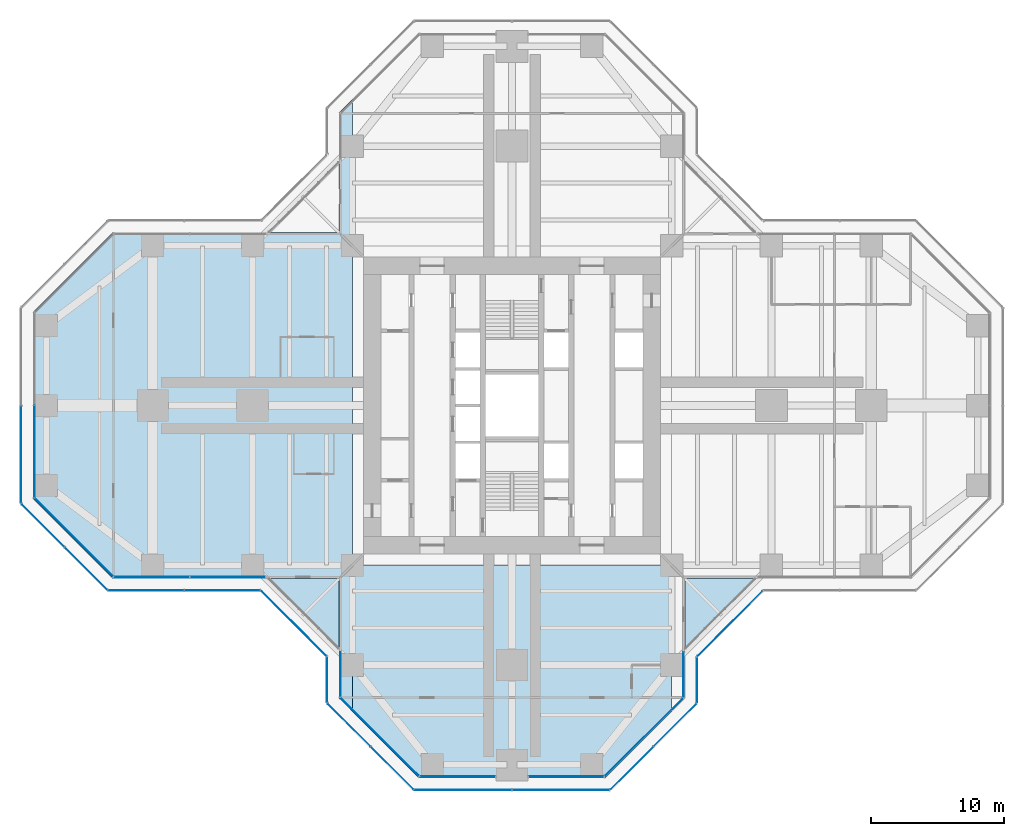
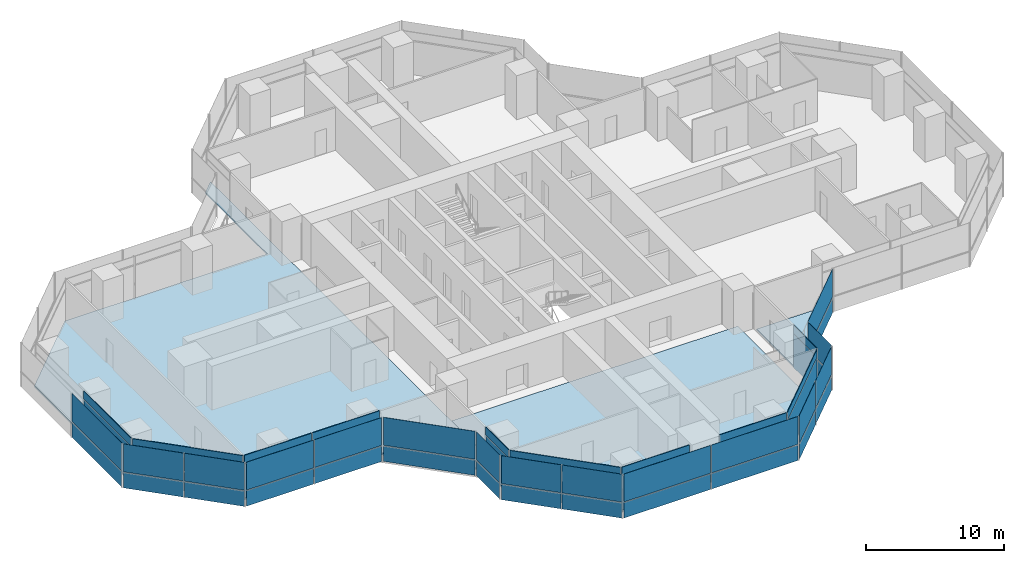
# One storey, part 12 of 19: 50 plates, 4 slabs, 19 elements without a shape of their own.
"""IFC4 building model written with IfcOpenShell, lengths in metres."""

from ifc_helpers import new_model, si_unit, direction, frame, origin, origin_2d, place, context, subcontext, project, spatial, polyline, rectangle, outline, extrude, material, layer, layer_set, type_object, element, aggregate, save


model = new_model("IFC4")

# Units and contexts
model_context = context("Model", 3, precision=1e-05, world=origin(), true_north=direction((0.0, 1.0)))
body_context = subcontext(model_context, "Body", "Model", "MODEL_VIEW")
ifc_project = project(units=[si_unit("LENGTHUNIT", "METRE"), si_unit("AREAUNIT", "SQUARE_METRE"), si_unit("VOLUMEUNIT", "CUBIC_METRE"), si_unit("PLANEANGLEUNIT", "RADIAN"), si_unit("MASSUNIT", "GRAM", prefix="KILO")], contexts=[model_context])

# Site, building, storey
site_placement = place(None, origin())
site = spatial("IfcSite", under=ifc_project, at=site_placement, CompositionType="ELEMENT")
building_placement = place(site_placement, origin())
building = spatial("IfcBuilding", under=site, at=building_placement, Name="Mizan Broadcast Tower", CompositionType="ELEMENT")
storey_placement = place(building_placement, frame((0.0, 0.0, 132.0)))
storey = spatial("IfcBuildingStorey", under=building, at=storey_placement, Name="L29", CompositionType="ELEMENT", Elevation=132.0)

# Slabs
ifc_material_1 = material(Name="Concrete C32/40", Category="concrete")
ifc_layer_1 = layer(ifc_material_1, 0.1298828125)
ifc_layer_set_1 = layer_set([ifc_layer_1], Name="Concrete C32/40")
slab_type_1 = type_object("IfcSlabType", Name="COMPOSITE DECK SLAB 130", PredefinedType="FLOOR", material=ifc_layer_set_1)
slab_1_placement = place(storey_placement, frame((0.0, 0.0, -0.1298828125)))
element("IfcSlab", 1, at=slab_1_placement, inside=storey, type_object=slab_type_1, Name="Floor slab L29 west arm", PredefinedType="FLOOR", context=body_context, shape_type="SweptSolid", body=[
    extrude(outline(polyline([(-13.0, -22.0), (-12.0, -23.0), (-12.0, 23.0), (-13.0, 22.0), (-13.0, 13.0), (-30.0, 13.0), (-36.0, 7.0), (-36.0, -7.0), (-30.0, -13.0), (-13.0, -13.0), (-13.0, -22.0)])), origin(), (0.0, 0.0, 1.0), 0.1298828125),
])
slab_2_placement = place(storey_placement, frame((0.0, 0.0, -0.1298828125)))
element("IfcSlab", 2, at=slab_2_placement, inside=storey, type_object=slab_type_1, Name="Floor slab L29 south arm", PredefinedType="FLOOR", context=body_context, shape_type="SweptSolid", body=[
    extrude(outline(polyline([(7.0, -28.0), (12.0, -23.0), (12.0, -12.0), (-12.0, -12.0), (-12.0, -23.0), (-7.0, -28.0), (7.0, -28.0)])), origin(), (0.0, 0.0, 1.0), 0.1298828125),
])

# Curtain wall, plate
ifc_material_2 = material(Name="Aluminium framed glazing", Category="aluminium")
curtain_wall_type_1 = type_object("IfcCurtainWallType", Name="INNER SKIN MID ZONE", PredefinedType="USERDEFINED", material=ifc_material_2)
curtain_wall_1_placement = place(storey_placement, origin())
curtain_wall_1 = element("IfcCurtainWall", 3, at=curtain_wall_1_placement, inside=storey, type_object=curtain_wall_type_1, Name="Inner skin mid zone L29 W end", ObjectType="INNER SKIN MID ZONE", PredefinedType="USERDEFINED")
ifc_material_3 = material(Name="Double glazing, clear low-e", Category="glass")
ifc_layer_2 = layer(ifc_material_3, 0.028076171875)
ifc_layer_set_2 = layer_set([ifc_layer_2], Name="Double glazing, clear low-e")
plate_type_1 = type_object("IfcPlateType", Name="INNER SKIN GLAZING UNIT", PredefinedType="CURTAIN_PANEL", material=ifc_layer_set_2)
plate_1_placement = place(storey_placement, frame((-35.89990234375, -3.46435546875, 0.0), z_axis=(0.0, 0.0, 1.0), x_axis=(0.0, -1.0, 0.0)))
plate_1 = element("IfcPlate", 4, at=plate_1_placement, type_object=plate_type_1, Name="Inner skin mid zone L29 W end panel 2.1", PredefinedType="CURTAIN_PANEL", context=body_context, shape_type="SweptSolid", body=[
    extrude(rectangle(XDim=6.86865234375, YDim=0.028076171875, at=origin_2d()), origin(), (0.0, 0.0, 1.0), 3.0),
])

curtain_wall_2_placement = place(storey_placement, origin())
curtain_wall_2 = element("IfcCurtainWall", 5, at=curtain_wall_2_placement, inside=storey, type_object=curtain_wall_type_1, Name="Inner skin mid zone L29 W chamfer", ObjectType="INNER SKIN MID ZONE", PredefinedType="USERDEFINED")
plate_2_placement = place(storey_placement, frame((-32.92919921875, -9.92919921875, 0.0), z_axis=(0.0, 0.0, 1.0), x_axis=(0.707106781187, -0.707106781187, 0.0)))
plate_2 = element("IfcPlate", 6, at=plate_2_placement, type_object=plate_type_1, Name="Inner skin mid zone L29 W chamfer panel 1.1", PredefinedType="CURTAIN_PANEL", context=body_context, shape_type="SweptSolid", body=[
    extrude(rectangle(XDim=8.282470703125, YDim=0.028076171875, at=origin_2d()), origin(), (0.0, 0.0, 1.0), 3.0),
])

# Curtain wall, plates
curtain_wall_3_placement = place(storey_placement, origin())
curtain_wall_3 = element("IfcCurtainWall", 7, at=curtain_wall_3_placement, inside=storey, type_object=curtain_wall_type_1, Name="Inner skin mid zone L29 W side", ObjectType="INNER SKIN MID ZONE", PredefinedType="USERDEFINED")
plate_3_placement = place(storey_placement, frame((-27.078857421875, -12.89990234375, 0.0), z_axis=(0.0, 0.0, 1.0), x_axis=(1.0, 0.0, 0.0)))
plate_3 = element("IfcPlate", 8, at=plate_3_placement, type_object=plate_type_1, Name="Inner skin mid zone L29 W side panel 1.1", PredefinedType="CURTAIN_PANEL", context=body_context, shape_type="SweptSolid", body=[
    extrude(rectangle(XDim=5.639404296875, YDim=0.028076171875, at=origin_2d()), origin(), (0.0, 0.0, 1.0), 3.0),
])
plate_4_placement = place(storey_placement, frame((-21.379638671875, -12.89990234375, 0.0), z_axis=(0.0, 0.0, 1.0), x_axis=(1.0, 0.0, 0.0)))
plate_4 = element("IfcPlate", 9, at=plate_4_placement, type_object=plate_type_1, Name="Inner skin mid zone L29 W side panel 2.1", PredefinedType="CURTAIN_PANEL", context=body_context, shape_type="SweptSolid", body=[
    extrude(rectangle(XDim=5.639404296875, YDim=0.028076171875, at=origin_2d()), origin(), (0.0, 0.0, 1.0), 3.0),
])

# Curtain wall, plate
curtain_wall_4_placement = place(storey_placement, origin())
curtain_wall_4 = element("IfcCurtainWall", 10, at=curtain_wall_4_placement, inside=storey, type_object=curtain_wall_type_1, Name="Inner skin mid zone L29 S side", ObjectType="INNER SKIN MID ZONE", PredefinedType="USERDEFINED")
plate_5_placement = place(storey_placement, frame((-12.89990234375, -20.229248046875, 0.0), z_axis=(0.0, 0.0, 1.0), x_axis=(0.0, -1.0, 0.0)))
plate_5 = element("IfcPlate", 11, at=plate_5_placement, type_object=plate_type_1, Name="Inner skin mid zone L29 S side panel 1.1", PredefinedType="CURTAIN_PANEL", context=body_context, shape_type="SweptSolid", body=[
    extrude(rectangle(XDim=3.338623046875, YDim=0.028076171875, at=origin_2d()), origin(), (0.0, 0.0, 1.0), 3.0),
])

curtain_wall_5_placement = place(storey_placement, origin())
curtain_wall_5 = element("IfcCurtainWall", 12, at=curtain_wall_5_placement, inside=storey, type_object=curtain_wall_type_1, Name="Inner skin mid zone L29 S chamfer", ObjectType="INNER SKIN MID ZONE", PredefinedType="USERDEFINED")
plate_6_placement = place(storey_placement, frame((-9.92919921875, -24.92919921875, 0.0), z_axis=(0.0, 0.0, 1.0), x_axis=(0.707106781187, -0.707106781187, 0.0)))
plate_6 = element("IfcPlate", 13, at=plate_6_placement, type_object=plate_type_1, Name="Inner skin mid zone L29 S chamfer panel 1.1", PredefinedType="CURTAIN_PANEL", context=body_context, shape_type="SweptSolid", body=[
    extrude(rectangle(XDim=8.282470703125, YDim=0.028076171875, at=origin_2d()), origin(), (0.0, 0.0, 1.0), 3.0),
])

curtain_wall_6_placement = place(storey_placement, origin())
curtain_wall_6 = element("IfcCurtainWall", 14, at=curtain_wall_6_placement, inside=storey, type_object=curtain_wall_type_1, Name="Inner skin mid zone L29 S end", ObjectType="INNER SKIN MID ZONE", PredefinedType="USERDEFINED")
plate_7_placement = place(storey_placement, frame((-4.079345703125, -27.89990234375, 0.0), z_axis=(0.0, 0.0, 1.0), x_axis=(1.0, 0.0, 0.0)))
plate_7 = element("IfcPlate", 15, at=plate_7_placement, type_object=plate_type_1, Name="Inner skin mid zone L29 S end panel 1.1", PredefinedType="CURTAIN_PANEL", context=body_context, shape_type="SweptSolid", body=[
    extrude(rectangle(XDim=5.638671875, YDim=0.028076171875, at=origin_2d()), origin(), (0.0, 0.0, 1.0), 3.0),
])

curtain_wall_7_placement = place(storey_placement, origin())
curtain_wall_7 = element("IfcCurtainWall", 16, at=curtain_wall_7_placement, inside=storey, type_object=curtain_wall_type_1, Name="Inner skin mid zone L29 S end", ObjectType="INNER SKIN MID ZONE", PredefinedType="USERDEFINED")
plate_8_placement = place(storey_placement, frame((4.079345703125, -27.89990234375, 0.0), z_axis=(0.0, 0.0, 1.0), x_axis=(1.0, 0.0, 0.0)))
plate_8 = element("IfcPlate", 17, at=plate_8_placement, type_object=plate_type_1, Name="Inner skin mid zone L29 S end panel 1.1", PredefinedType="CURTAIN_PANEL", context=body_context, shape_type="SweptSolid", body=[
    extrude(rectangle(XDim=5.638671875, YDim=0.028076171875, at=origin_2d()), origin(), (0.0, 0.0, 1.0), 3.0),
])

curtain_wall_8_placement = place(storey_placement, origin())
curtain_wall_8 = element("IfcCurtainWall", 18, at=curtain_wall_8_placement, inside=storey, type_object=curtain_wall_type_1, Name="Inner skin mid zone L29 S chamfer", ObjectType="INNER SKIN MID ZONE", PredefinedType="USERDEFINED")
plate_9_placement = place(storey_placement, frame((9.92919921875, -24.92919921875, 0.0), z_axis=(0.0, 0.0, 1.0), x_axis=(0.707106781187, 0.707106781187, 0.0)))
plate_9 = element("IfcPlate", 19, at=plate_9_placement, type_object=plate_type_1, Name="Inner skin mid zone L29 S chamfer panel 1.1", PredefinedType="CURTAIN_PANEL", context=body_context, shape_type="SweptSolid", body=[
    extrude(rectangle(XDim=8.282470703125, YDim=0.028076171875, at=origin_2d()), origin(), (0.0, 0.0, 1.0), 3.0),
])

curtain_wall_9_placement = place(storey_placement, origin())
curtain_wall_9 = element("IfcCurtainWall", 20, at=curtain_wall_9_placement, inside=storey, type_object=curtain_wall_type_1, Name="Inner skin mid zone L29 S side", ObjectType="INNER SKIN MID ZONE", PredefinedType="USERDEFINED")
plate_10_placement = place(storey_placement, frame((12.89990234375, -20.229248046875, 0.0), z_axis=(0.0, 0.0, 1.0), x_axis=(0.0, 1.0, 0.0)))
plate_10 = element("IfcPlate", 21, at=plate_10_placement, type_object=plate_type_1, Name="Inner skin mid zone L29 S side panel 1.1", PredefinedType="CURTAIN_PANEL", context=body_context, shape_type="SweptSolid", body=[
    extrude(rectangle(XDim=3.338623046875, YDim=0.028076171875, at=origin_2d()), origin(), (0.0, 0.0, 1.0), 3.0),
])

# Plate
ifc_material_4 = material(Name="Insulated aluminium spandrel panel, pale anodised", Category="aluminium")
ifc_layer_3 = layer(ifc_material_4, 0.050048828125)
ifc_layer_set_3 = layer_set([ifc_layer_3], Name="Insulated aluminium spandrel panel, pale anodised")
plate_type_2 = type_object("IfcPlateType", Name="INNER SKIN SPANDREL PANEL", PredefinedType="CURTAIN_PANEL", material=ifc_layer_set_3)
plate_11_placement = place(storey_placement, frame((-35.89990234375, -3.46435546875, 3.06005859375), z_axis=(0.0, 0.0, 1.0), x_axis=(0.0, -1.0, 0.0)))
plate_11 = element("IfcPlate", 22, at=plate_11_placement, type_object=plate_type_2, Name="Inner skin mid zone L29 W end panel 2.2", PredefinedType="CURTAIN_PANEL", context=body_context, shape_type="SweptSolid", body=[
    extrude(rectangle(XDim=6.86865234375, YDim=0.050048828125, at=origin_2d()), origin(), (0.0, 0.0, 1.0), 0.7099609375),
])

aggregate(curtain_wall_1, [plate_1, plate_11])

plate_12_placement = place(storey_placement, frame((-32.92919921875, -9.92919921875, 3.06005859375), z_axis=(0.0, 0.0, 1.0), x_axis=(0.707106781187, -0.707106781187, 0.0)))
plate_12 = element("IfcPlate", 23, at=plate_12_placement, type_object=plate_type_2, Name="Inner skin mid zone L29 W chamfer panel 1.2", PredefinedType="CURTAIN_PANEL", context=body_context, shape_type="SweptSolid", body=[
    extrude(rectangle(XDim=8.282470703125, YDim=0.050048828125, at=origin_2d()), origin(), (0.0, 0.0, 1.0), 0.7099609375),
])

aggregate(curtain_wall_2, [plate_2, plate_12])

plate_13_placement = place(storey_placement, frame((-27.078857421875, -12.89990234375, 3.06005859375), z_axis=(0.0, 0.0, 1.0), x_axis=(1.0, 0.0, 0.0)))
plate_13 = element("IfcPlate", 24, at=plate_13_placement, type_object=plate_type_2, Name="Inner skin mid zone L29 W side panel 1.2", PredefinedType="CURTAIN_PANEL", context=body_context, shape_type="SweptSolid", body=[
    extrude(rectangle(XDim=5.639404296875, YDim=0.050048828125, at=origin_2d()), origin(), (0.0, 0.0, 1.0), 0.7099609375),
])

plate_14_placement = place(storey_placement, frame((-21.379638671875, -12.89990234375, 3.06005859375), z_axis=(0.0, 0.0, 1.0), x_axis=(1.0, 0.0, 0.0)))
plate_14 = element("IfcPlate", 25, at=plate_14_placement, type_object=plate_type_2, Name="Inner skin mid zone L29 W side panel 2.2", PredefinedType="CURTAIN_PANEL", context=body_context, shape_type="SweptSolid", body=[
    extrude(rectangle(XDim=5.639404296875, YDim=0.050048828125, at=origin_2d()), origin(), (0.0, 0.0, 1.0), 0.7099609375),
])

aggregate(curtain_wall_3, [plate_3, plate_13, plate_4, plate_14])

plate_15_placement = place(storey_placement, frame((-12.89990234375, -20.229248046875, 3.06005859375), z_axis=(0.0, 0.0, 1.0), x_axis=(0.0, -1.0, 0.0)))
plate_15 = element("IfcPlate", 26, at=plate_15_placement, type_object=plate_type_2, Name="Inner skin mid zone L29 S side panel 1.2", PredefinedType="CURTAIN_PANEL", context=body_context, shape_type="SweptSolid", body=[
    extrude(rectangle(XDim=3.338623046875, YDim=0.050048828125, at=origin_2d()), origin(), (0.0, 0.0, 1.0), 0.7099609375),
])

aggregate(curtain_wall_4, [plate_5, plate_15])

plate_16_placement = place(storey_placement, frame((-9.92919921875, -24.92919921875, 3.06005859375), z_axis=(0.0, 0.0, 1.0), x_axis=(0.707106781187, -0.707106781187, 0.0)))
plate_16 = element("IfcPlate", 27, at=plate_16_placement, type_object=plate_type_2, Name="Inner skin mid zone L29 S chamfer panel 1.2", PredefinedType="CURTAIN_PANEL", context=body_context, shape_type="SweptSolid", body=[
    extrude(rectangle(XDim=8.282470703125, YDim=0.050048828125, at=origin_2d()), origin(), (0.0, 0.0, 1.0), 0.7099609375),
])

aggregate(curtain_wall_5, [plate_6, plate_16])

plate_17_placement = place(storey_placement, frame((-4.079345703125, -27.89990234375, 3.06005859375), z_axis=(0.0, 0.0, 1.0), x_axis=(1.0, 0.0, 0.0)))
plate_17 = element("IfcPlate", 28, at=plate_17_placement, type_object=plate_type_2, Name="Inner skin mid zone L29 S end panel 1.2", PredefinedType="CURTAIN_PANEL", context=body_context, shape_type="SweptSolid", body=[
    extrude(rectangle(XDim=5.638671875, YDim=0.050048828125, at=origin_2d()), origin(), (0.0, 0.0, 1.0), 0.7099609375),
])

aggregate(curtain_wall_6, [plate_7, plate_17])

plate_18_placement = place(storey_placement, frame((4.079345703125, -27.89990234375, 3.06005859375), z_axis=(0.0, 0.0, 1.0), x_axis=(1.0, 0.0, 0.0)))
plate_18 = element("IfcPlate", 29, at=plate_18_placement, type_object=plate_type_2, Name="Inner skin mid zone L29 S end panel 1.2", PredefinedType="CURTAIN_PANEL", context=body_context, shape_type="SweptSolid", body=[
    extrude(rectangle(XDim=5.638671875, YDim=0.050048828125, at=origin_2d()), origin(), (0.0, 0.0, 1.0), 0.7099609375),
])

aggregate(curtain_wall_7, [plate_8, plate_18])

plate_19_placement = place(storey_placement, frame((9.92919921875, -24.92919921875, 3.06005859375), z_axis=(0.0, 0.0, 1.0), x_axis=(0.707106781187, 0.707106781187, 0.0)))
plate_19 = element("IfcPlate", 30, at=plate_19_placement, type_object=plate_type_2, Name="Inner skin mid zone L29 S chamfer panel 1.2", PredefinedType="CURTAIN_PANEL", context=body_context, shape_type="SweptSolid", body=[
    extrude(rectangle(XDim=8.282470703125, YDim=0.050048828125, at=origin_2d()), origin(), (0.0, 0.0, 1.0), 0.7099609375),
])

aggregate(curtain_wall_8, [plate_9, plate_19])

plate_20_placement = place(storey_placement, frame((12.89990234375, -20.229248046875, 3.06005859375), z_axis=(0.0, 0.0, 1.0), x_axis=(0.0, 1.0, 0.0)))
plate_20 = element("IfcPlate", 31, at=plate_20_placement, type_object=plate_type_2, Name="Inner skin mid zone L29 S side panel 1.2", PredefinedType="CURTAIN_PANEL", context=body_context, shape_type="SweptSolid", body=[
    extrude(rectangle(XDim=3.338623046875, YDim=0.050048828125, at=origin_2d()), origin(), (0.0, 0.0, 1.0), 0.7099609375),
])

aggregate(curtain_wall_9, [plate_10, plate_20])

# Curtain wall, plates
ifc_material_5 = material(Name="Aluminium framed glazing", Category="aluminium")
curtain_wall_type_2 = type_object("IfcCurtainWallType", Name="OUTER SKIN", PredefinedType="USERDEFINED", material=ifc_material_5)
curtain_wall_10_placement = place(storey_placement, origin())
curtain_wall_10 = element("IfcCurtainWall", 32, at=curtain_wall_10_placement, inside=storey, type_object=curtain_wall_type_2, Name="Outer skin L29 W chamfer", ObjectType="OUTER SKIN", PredefinedType="USERDEFINED")
ifc_material_6 = material(Name="Laminated clear glass", Category="glass")
ifc_layer_4 = layer(ifc_material_6, 0.02001953125)
ifc_layer_set_4 = layer_set([ifc_layer_4], Name="Laminated clear glass")
plate_type_3 = type_object("IfcPlateType", Name="OUTER SKIN CLEAR GLASS", PredefinedType="CURTAIN_PANEL", material=ifc_layer_set_4)
plate_21_placement = place(storey_placement, frame((-35.254150390625, -9.018798828125, 0.0), z_axis=(0.0, 0.0, 1.0), x_axis=(0.707106781187, -0.707106781187, 0.0)))
plate_21 = element("IfcPlate", 33, at=plate_21_placement, type_object=plate_type_3, Name="Outer skin L29 W chamfer panel 1.1", PredefinedType="CURTAIN_PANEL", context=body_context, shape_type="SweptSolid", body=[
    extrude(rectangle(XDim=4.495361328125, YDim=0.02001953125, at=origin_2d()), origin(), (0.0, 0.0, 1.0), 1.3701171875),
])
plate_22_placement = place(storey_placement, frame((-35.254150390625, -9.018798828125, 1.43017578125), z_axis=(0.0, 0.0, 1.0), x_axis=(0.707106781187, -0.707106781187, 0.0)))
plate_22 = element("IfcPlate", 34, at=plate_22_placement, type_object=plate_type_3, Name="Outer skin L29 W chamfer panel 1.2", PredefinedType="CURTAIN_PANEL", context=body_context, shape_type="SweptSolid", body=[
    extrude(rectangle(XDim=4.495361328125, YDim=0.02001953125, at=origin_2d()), origin(), (0.0, 0.0, 1.0), 2.469970703125),
])

curtain_wall_11_placement = place(storey_placement, origin())
curtain_wall_11 = element("IfcCurtainWall", 35, at=curtain_wall_11_placement, inside=storey, type_object=curtain_wall_type_2, Name="Outer skin L29 W side", ObjectType="OUTER SKIN", PredefinedType="USERDEFINED")
plate_23_placement = place(storey_placement, frame((-27.477783203125, -13.89990234375, 0.0), z_axis=(0.0, 0.0, 1.0), x_axis=(1.0, 0.0, 0.0)))
plate_23 = element("IfcPlate", 36, at=plate_23_placement, type_object=plate_type_3, Name="Outer skin L29 W side panel 1.1", PredefinedType="CURTAIN_PANEL", context=body_context, shape_type="SweptSolid", body=[
    extrude(rectangle(XDim=5.6298828125, YDim=0.02001953125, at=origin_2d()), origin(), (0.0, 0.0, 1.0), 1.3701171875),
])
plate_24_placement = place(storey_placement, frame((-27.477783203125, -13.89990234375, 1.43017578125), z_axis=(0.0, 0.0, 1.0), x_axis=(1.0, 0.0, 0.0)))
plate_24 = element("IfcPlate", 37, at=plate_24_placement, type_object=plate_type_3, Name="Outer skin L29 W side panel 1.2", PredefinedType="CURTAIN_PANEL", context=body_context, shape_type="SweptSolid", body=[
    extrude(rectangle(XDim=5.6298828125, YDim=0.02001953125, at=origin_2d()), origin(), (0.0, 0.0, 1.0), 2.469970703125),
])

curtain_wall_12_placement = place(storey_placement, origin())
curtain_wall_12 = element("IfcCurtainWall", 38, at=curtain_wall_12_placement, inside=storey, type_object=curtain_wall_type_2, Name="Outer skin L29 W chamfer", ObjectType="OUTER SKIN", PredefinedType="USERDEFINED")
plate_25_placement = place(storey_placement, frame((-16.386474609375, -16.386474609375, 0.0), z_axis=(0.0, 0.0, 1.0), x_axis=(0.707106781187, -0.707106781187, 0.0)))
plate_25 = element("IfcPlate", 39, at=plate_25_placement, type_object=plate_type_3, Name="Outer skin L29 W chamfer panel 1.1", PredefinedType="CURTAIN_PANEL", context=body_context, shape_type="SweptSolid", body=[
    extrude(rectangle(XDim=6.87255859375, YDim=0.02001953125, at=origin_2d()), origin(), (0.0, 0.0, 1.0), 1.3701171875),
])
plate_26_placement = place(storey_placement, frame((-16.386474609375, -16.386474609375, 1.43017578125), z_axis=(0.0, 0.0, 1.0), x_axis=(0.707106781187, -0.707106781187, 0.0)))
plate_26 = element("IfcPlate", 40, at=plate_26_placement, type_object=plate_type_3, Name="Outer skin L29 W chamfer panel 1.2", PredefinedType="CURTAIN_PANEL", context=body_context, shape_type="SweptSolid", body=[
    extrude(rectangle(XDim=6.87255859375, YDim=0.02001953125, at=origin_2d()), origin(), (0.0, 0.0, 1.0), 2.469970703125),
])
aggregate(curtain_wall_12, [plate_25, plate_26])

curtain_wall_13_placement = place(storey_placement, origin())
curtain_wall_13 = element("IfcCurtainWall", 41, at=curtain_wall_13_placement, inside=storey, type_object=curtain_wall_type_2, Name="Outer skin L29 S side", ObjectType="OUTER SKIN", PredefinedType="USERDEFINED")
plate_27_placement = place(storey_placement, frame((-13.89990234375, -20.622802734375, 0.0), z_axis=(0.0, 0.0, 1.0), x_axis=(0.0, -1.0, 0.0)))
plate_27 = element("IfcPlate", 42, at=plate_27_placement, type_object=plate_type_3, Name="Outer skin L29 S side panel 1.1", PredefinedType="CURTAIN_PANEL", context=body_context, shape_type="SweptSolid", body=[
    extrude(rectangle(XDim=3.340087890625, YDim=0.02001953125, at=origin_2d()), origin(), (0.0, 0.0, 1.0), 1.3701171875),
])
plate_28_placement = place(storey_placement, frame((-13.89990234375, -20.622802734375, 1.43017578125), z_axis=(0.0, 0.0, 1.0), x_axis=(0.0, -1.0, 0.0)))
plate_28 = element("IfcPlate", 43, at=plate_28_placement, type_object=plate_type_3, Name="Outer skin L29 S side panel 1.2", PredefinedType="CURTAIN_PANEL", context=body_context, shape_type="SweptSolid", body=[
    extrude(rectangle(XDim=3.340087890625, YDim=0.02001953125, at=origin_2d()), origin(), (0.0, 0.0, 1.0), 2.469970703125),
])
aggregate(curtain_wall_13, [plate_27, plate_28])

curtain_wall_14_placement = place(storey_placement, origin())
curtain_wall_14 = element("IfcCurtainWall", 44, at=curtain_wall_14_placement, inside=storey, type_object=curtain_wall_type_2, Name="Outer skin L29 S chamfer", ObjectType="OUTER SKIN", PredefinedType="USERDEFINED")
plate_29_placement = place(storey_placement, frame((-12.254150390625, -24.018798828125, 0.0), z_axis=(0.0, 0.0, 1.0), x_axis=(0.707106781187, -0.707106781187, 0.0)))
plate_29 = element("IfcPlate", 45, at=plate_29_placement, type_object=plate_type_3, Name="Outer skin L29 S chamfer panel 1.1", PredefinedType="CURTAIN_PANEL", context=body_context, shape_type="SweptSolid", body=[
    extrude(rectangle(XDim=4.495361328125, YDim=0.02001953125, at=origin_2d()), origin(), (0.0, 0.0, 1.0), 1.3701171875),
])
plate_30_placement = place(storey_placement, frame((-12.254150390625, -24.018798828125, 1.43017578125), z_axis=(0.0, 0.0, 1.0), x_axis=(0.707106781187, -0.707106781187, 0.0)))
plate_30 = element("IfcPlate", 46, at=plate_30_placement, type_object=plate_type_3, Name="Outer skin L29 S chamfer panel 1.2", PredefinedType="CURTAIN_PANEL", context=body_context, shape_type="SweptSolid", body=[
    extrude(rectangle(XDim=4.495361328125, YDim=0.02001953125, at=origin_2d()), origin(), (0.0, 0.0, 1.0), 2.469970703125),
])

curtain_wall_15_placement = place(storey_placement, origin())
curtain_wall_15 = element("IfcCurtainWall", 47, at=curtain_wall_15_placement, inside=storey, type_object=curtain_wall_type_2, Name="Outer skin L29 S end", ObjectType="OUTER SKIN", PredefinedType="USERDEFINED")
plate_31_placement = place(storey_placement, frame((-3.66650390625, -28.89990234375, 0.0), z_axis=(0.0, 0.0, 1.0), x_axis=(1.0, 0.0, 0.0)))
plate_31 = element("IfcPlate", 48, at=plate_31_placement, type_object=plate_type_3, Name="Outer skin L29 S end panel 1.1", PredefinedType="CURTAIN_PANEL", context=body_context, shape_type="SweptSolid", body=[
    extrude(rectangle(XDim=7.252685546875, YDim=0.02001953125, at=origin_2d()), origin(), (0.0, 0.0, 1.0), 1.3701171875),
])
plate_32_placement = place(storey_placement, frame((-3.66650390625, -28.89990234375, 1.43017578125), z_axis=(0.0, 0.0, 1.0), x_axis=(1.0, 0.0, 0.0)))
plate_32 = element("IfcPlate", 49, at=plate_32_placement, type_object=plate_type_3, Name="Outer skin L29 S end panel 1.2", PredefinedType="CURTAIN_PANEL", context=body_context, shape_type="SweptSolid", body=[
    extrude(rectangle(XDim=7.252685546875, YDim=0.02001953125, at=origin_2d()), origin(), (0.0, 0.0, 1.0), 2.469970703125),
])

curtain_wall_16_placement = place(storey_placement, origin())
curtain_wall_16 = element("IfcCurtainWall", 50, at=curtain_wall_16_placement, inside=storey, type_object=curtain_wall_type_2, Name="Outer skin L29 S chamfer", ObjectType="OUTER SKIN", PredefinedType="USERDEFINED")
plate_33_placement = place(storey_placement, frame((9.018798828125, -27.254150390625, 0.0), z_axis=(0.0, 0.0, 1.0), x_axis=(0.707106781187, 0.707106781187, 0.0)))
plate_33 = element("IfcPlate", 51, at=plate_33_placement, type_object=plate_type_3, Name="Outer skin L29 S chamfer panel 1.1", PredefinedType="CURTAIN_PANEL", context=body_context, shape_type="SweptSolid", body=[
    extrude(rectangle(XDim=4.495361328125, YDim=0.02001953125, at=origin_2d()), origin(), (0.0, 0.0, 1.0), 1.3701171875),
])
plate_34_placement = place(storey_placement, frame((9.018798828125, -27.254150390625, 1.43017578125), z_axis=(0.0, 0.0, 1.0), x_axis=(0.707106781187, 0.707106781187, 0.0)))
plate_34 = element("IfcPlate", 52, at=plate_34_placement, type_object=plate_type_3, Name="Outer skin L29 S chamfer panel 1.2", PredefinedType="CURTAIN_PANEL", context=body_context, shape_type="SweptSolid", body=[
    extrude(rectangle(XDim=4.495361328125, YDim=0.02001953125, at=origin_2d()), origin(), (0.0, 0.0, 1.0), 2.469970703125),
])

curtain_wall_17_placement = place(storey_placement, origin())
curtain_wall_17 = element("IfcCurtainWall", 53, at=curtain_wall_17_placement, inside=storey, type_object=curtain_wall_type_2, Name="Outer skin L29 S side", ObjectType="OUTER SKIN", PredefinedType="USERDEFINED")
plate_35_placement = place(storey_placement, frame((13.89990234375, -20.622802734375, 0.0), z_axis=(0.0, 0.0, 1.0), x_axis=(0.0, 1.0, 0.0)))
plate_35 = element("IfcPlate", 54, at=plate_35_placement, type_object=plate_type_3, Name="Outer skin L29 S side panel 1.1", PredefinedType="CURTAIN_PANEL", context=body_context, shape_type="SweptSolid", body=[
    extrude(rectangle(XDim=3.340087890625, YDim=0.02001953125, at=origin_2d()), origin(), (0.0, 0.0, 1.0), 1.3701171875),
])
plate_36_placement = place(storey_placement, frame((13.89990234375, -20.622802734375, 1.43017578125), z_axis=(0.0, 0.0, 1.0), x_axis=(0.0, 1.0, 0.0)))
plate_36 = element("IfcPlate", 55, at=plate_36_placement, type_object=plate_type_3, Name="Outer skin L29 S side panel 1.2", PredefinedType="CURTAIN_PANEL", context=body_context, shape_type="SweptSolid", body=[
    extrude(rectangle(XDim=3.340087890625, YDim=0.02001953125, at=origin_2d()), origin(), (0.0, 0.0, 1.0), 2.469970703125),
])
aggregate(curtain_wall_17, [plate_35, plate_36])

curtain_wall_18_placement = place(storey_placement, origin())
curtain_wall_18 = element("IfcCurtainWall", 56, at=curtain_wall_18_placement, inside=storey, type_object=curtain_wall_type_2, Name="Outer skin L29 E chamfer", ObjectType="OUTER SKIN", PredefinedType="USERDEFINED")
plate_37_placement = place(storey_placement, frame((16.386474609375, -16.386474609375, 0.0), z_axis=(0.0, 0.0, 1.0), x_axis=(0.707106781187, 0.707106781187, 0.0)))
plate_37 = element("IfcPlate", 57, at=plate_37_placement, type_object=plate_type_3, Name="Outer skin L29 E chamfer panel 1.1", PredefinedType="CURTAIN_PANEL", context=body_context, shape_type="SweptSolid", body=[
    extrude(rectangle(XDim=6.87255859375, YDim=0.02001953125, at=origin_2d()), origin(), (0.0, 0.0, 1.0), 1.3701171875),
])
plate_38_placement = place(storey_placement, frame((16.386474609375, -16.386474609375, 1.43017578125), z_axis=(0.0, 0.0, 1.0), x_axis=(0.707106781187, 0.707106781187, 0.0)))
plate_38 = element("IfcPlate", 58, at=plate_38_placement, type_object=plate_type_3, Name="Outer skin L29 E chamfer panel 1.2", PredefinedType="CURTAIN_PANEL", context=body_context, shape_type="SweptSolid", body=[
    extrude(rectangle(XDim=6.87255859375, YDim=0.02001953125, at=origin_2d()), origin(), (0.0, 0.0, 1.0), 2.469970703125),
])
aggregate(curtain_wall_18, [plate_37, plate_38])

curtain_wall_19_placement = place(storey_placement, origin())
curtain_wall_19 = element("IfcCurtainWall", 59, at=curtain_wall_19_placement, inside=storey, type_object=curtain_wall_type_2, Name="Outer skin L29 W end", ObjectType="OUTER SKIN", PredefinedType="USERDEFINED")
ifc_material_7 = material(Name="Perforated aluminium, pale anodised", Category="aluminium")
ifc_layer_5 = layer(ifc_material_7, 0.011962890625)
ifc_layer_set_5 = layer_set([ifc_layer_5], Name="Perforated aluminium, pale anodised")
plate_type_4 = type_object("IfcPlateType", Name="OUTER SKIN PERFORATED SCREEN", PredefinedType="USERDEFINED", material=ifc_layer_set_5)
plate_39_placement = place(storey_placement, frame((-36.89990234375, -3.66650390625, 0.0), z_axis=(0.0, 0.0, 1.0), x_axis=(0.0, -1.0, 0.0)))
plate_39 = element("IfcPlate", 60, at=plate_39_placement, type_object=plate_type_4, Name="Outer skin L29 W end panel 2.1", ObjectType="SCREEN", PredefinedType="USERDEFINED", context=body_context, shape_type="SweptSolid", body=[
    extrude(rectangle(XDim=7.252685546875, YDim=0.011962890625, at=origin_2d()), origin(), (0.0, 0.0, 1.0), 1.3701171875),
])
plate_40_placement = place(storey_placement, frame((-36.89990234375, -3.66650390625, 1.43017578125), z_axis=(0.0, 0.0, 1.0), x_axis=(0.0, -1.0, 0.0)))
plate_40 = element("IfcPlate", 61, at=plate_40_placement, type_object=plate_type_4, Name="Outer skin L29 W end panel 2.2", ObjectType="SCREEN", PredefinedType="USERDEFINED", context=body_context, shape_type="SweptSolid", body=[
    extrude(rectangle(XDim=7.252685546875, YDim=0.011962890625, at=origin_2d()), origin(), (0.0, 0.0, 1.0), 2.469970703125),
])
aggregate(curtain_wall_19, [plate_39, plate_40])

# Plate
plate_41_placement = place(storey_placement, frame((-32.018798828125, -12.254150390625, 0.0), z_axis=(0.0, 0.0, 1.0), x_axis=(0.707106781187, -0.707106781187, 0.0)))
plate_41 = element("IfcPlate", 62, at=plate_41_placement, type_object=plate_type_4, Name="Outer skin L29 W chamfer panel 2.1", ObjectType="SCREEN", PredefinedType="USERDEFINED", context=body_context, shape_type="SweptSolid", body=[
    extrude(rectangle(XDim=4.495361328125, YDim=0.011962890625, at=origin_2d()), origin(), (0.0, 0.0, 1.0), 1.3701171875),
])

plate_42_placement = place(storey_placement, frame((-32.018798828125, -12.254150390625, 1.43017578125), z_axis=(0.0, 0.0, 1.0), x_axis=(0.707106781187, -0.707106781187, 0.0)))
plate_42 = element("IfcPlate", 63, at=plate_42_placement, type_object=plate_type_4, Name="Outer skin L29 W chamfer panel 2.2", ObjectType="SCREEN", PredefinedType="USERDEFINED", context=body_context, shape_type="SweptSolid", body=[
    extrude(rectangle(XDim=4.495361328125, YDim=0.011962890625, at=origin_2d()), origin(), (0.0, 0.0, 1.0), 2.469970703125),
])

aggregate(curtain_wall_10, [plate_21, plate_22, plate_41, plate_42])

plate_43_placement = place(storey_placement, frame((-21.767822265625, -13.89990234375, 0.0), z_axis=(0.0, 0.0, 1.0), x_axis=(1.0, 0.0, 0.0)))
plate_43 = element("IfcPlate", 64, at=plate_43_placement, type_object=plate_type_4, Name="Outer skin L29 W side panel 2.1", ObjectType="SCREEN", PredefinedType="USERDEFINED", context=body_context, shape_type="SweptSolid", body=[
    extrude(rectangle(XDim=5.6298828125, YDim=0.011962890625, at=origin_2d()), origin(), (0.0, 0.0, 1.0), 1.3701171875),
])

plate_44_placement = place(storey_placement, frame((-21.767822265625, -13.89990234375, 1.43017578125), z_axis=(0.0, 0.0, 1.0), x_axis=(1.0, 0.0, 0.0)))
plate_44 = element("IfcPlate", 65, at=plate_44_placement, type_object=plate_type_4, Name="Outer skin L29 W side panel 2.2", ObjectType="SCREEN", PredefinedType="USERDEFINED", context=body_context, shape_type="SweptSolid", body=[
    extrude(rectangle(XDim=5.6298828125, YDim=0.011962890625, at=origin_2d()), origin(), (0.0, 0.0, 1.0), 2.469970703125),
])

aggregate(curtain_wall_11, [plate_23, plate_24, plate_43, plate_44])

plate_45_placement = place(storey_placement, frame((-9.018798828125, -27.254150390625, 0.0), z_axis=(0.0, 0.0, 1.0), x_axis=(0.707106781187, -0.707106781187, 0.0)))
plate_45 = element("IfcPlate", 66, at=plate_45_placement, type_object=plate_type_4, Name="Outer skin L29 S chamfer panel 2.1", ObjectType="SCREEN", PredefinedType="USERDEFINED", context=body_context, shape_type="SweptSolid", body=[
    extrude(rectangle(XDim=4.495361328125, YDim=0.011962890625, at=origin_2d()), origin(), (0.0, 0.0, 1.0), 1.3701171875),
])

plate_46_placement = place(storey_placement, frame((-9.018798828125, -27.254150390625, 1.43017578125), z_axis=(0.0, 0.0, 1.0), x_axis=(0.707106781187, -0.707106781187, 0.0)))
plate_46 = element("IfcPlate", 67, at=plate_46_placement, type_object=plate_type_4, Name="Outer skin L29 S chamfer panel 2.2", ObjectType="SCREEN", PredefinedType="USERDEFINED", context=body_context, shape_type="SweptSolid", body=[
    extrude(rectangle(XDim=4.495361328125, YDim=0.011962890625, at=origin_2d()), origin(), (0.0, 0.0, 1.0), 2.469970703125),
])

aggregate(curtain_wall_14, [plate_29, plate_30, plate_45, plate_46])

plate_47_placement = place(storey_placement, frame((3.66650390625, -28.89990234375, 0.0), z_axis=(0.0, 0.0, 1.0), x_axis=(1.0, 0.0, 0.0)))
plate_47 = element("IfcPlate", 68, at=plate_47_placement, type_object=plate_type_4, Name="Outer skin L29 S end panel 2.1", ObjectType="SCREEN", PredefinedType="USERDEFINED", context=body_context, shape_type="SweptSolid", body=[
    extrude(rectangle(XDim=7.252685546875, YDim=0.011962890625, at=origin_2d()), origin(), (0.0, 0.0, 1.0), 1.3701171875),
])

plate_48_placement = place(storey_placement, frame((3.66650390625, -28.89990234375, 1.43017578125), z_axis=(0.0, 0.0, 1.0), x_axis=(1.0, 0.0, 0.0)))
plate_48 = element("IfcPlate", 69, at=plate_48_placement, type_object=plate_type_4, Name="Outer skin L29 S end panel 2.2", ObjectType="SCREEN", PredefinedType="USERDEFINED", context=body_context, shape_type="SweptSolid", body=[
    extrude(rectangle(XDim=7.252685546875, YDim=0.011962890625, at=origin_2d()), origin(), (0.0, 0.0, 1.0), 2.469970703125),
])

aggregate(curtain_wall_15, [plate_31, plate_32, plate_47, plate_48])

plate_49_placement = place(storey_placement, frame((12.254150390625, -24.018798828125, 0.0), z_axis=(0.0, 0.0, 1.0), x_axis=(0.707106781187, 0.707106781187, 0.0)))
plate_49 = element("IfcPlate", 70, at=plate_49_placement, type_object=plate_type_4, Name="Outer skin L29 S chamfer panel 2.1", ObjectType="SCREEN", PredefinedType="USERDEFINED", context=body_context, shape_type="SweptSolid", body=[
    extrude(rectangle(XDim=4.495361328125, YDim=0.011962890625, at=origin_2d()), origin(), (0.0, 0.0, 1.0), 1.3701171875),
])

plate_50_placement = place(storey_placement, frame((12.254150390625, -24.018798828125, 1.43017578125), z_axis=(0.0, 0.0, 1.0), x_axis=(0.707106781187, 0.707106781187, 0.0)))
plate_50 = element("IfcPlate", 71, at=plate_50_placement, type_object=plate_type_4, Name="Outer skin L29 S chamfer panel 2.2", ObjectType="SCREEN", PredefinedType="USERDEFINED", context=body_context, shape_type="SweptSolid", body=[
    extrude(rectangle(XDim=4.495361328125, YDim=0.011962890625, at=origin_2d()), origin(), (0.0, 0.0, 1.0), 2.469970703125),
])

aggregate(curtain_wall_16, [plate_33, plate_34, plate_49, plate_50])

# Slabs
ifc_material_8 = material(Name="Concrete C32/40", Category="concrete")
ifc_layer_6 = layer(ifc_material_8, 0.1298828125)
ifc_layer_set_6 = layer_set([ifc_layer_6], Name="Concrete C32/40")
slab_type_2 = type_object("IfcSlabType", Name="WINTER GARDEN SLAB 130", PredefinedType="FLOOR", material=ifc_layer_set_6)
slab_3_placement = place(storey_placement, frame((0.0, 0.0, -0.1298828125)))
element("IfcSlab", 72, at=slab_3_placement, inside=storey, type_object=slab_type_2, Name="Winter garden slab L29 W", PredefinedType="FLOOR", context=body_context, shape_type="SweptSolid", body=[
    extrude(outline(polyline([(-13.0, -13.0), (-18.5, -13.0), (-13.0, -18.5), (-13.0, -13.0)])), origin(), (0.0, 0.0, 1.0), 0.1298828125),
])
slab_4_placement = place(storey_placement, frame((0.0, 0.0, -0.1298828125)))
element("IfcSlab", 73, at=slab_4_placement, inside=storey, type_object=slab_type_2, Name="Winter garden slab L29 S", PredefinedType="FLOOR", context=body_context, shape_type="SweptSolid", body=[
    extrude(outline(polyline([(13.0, -13.0), (13.0, -18.5), (18.5, -13.0), (13.0, -13.0)])), origin(), (0.0, 0.0, 1.0), 0.1298828125),
])

save(model, "model.ifc")
